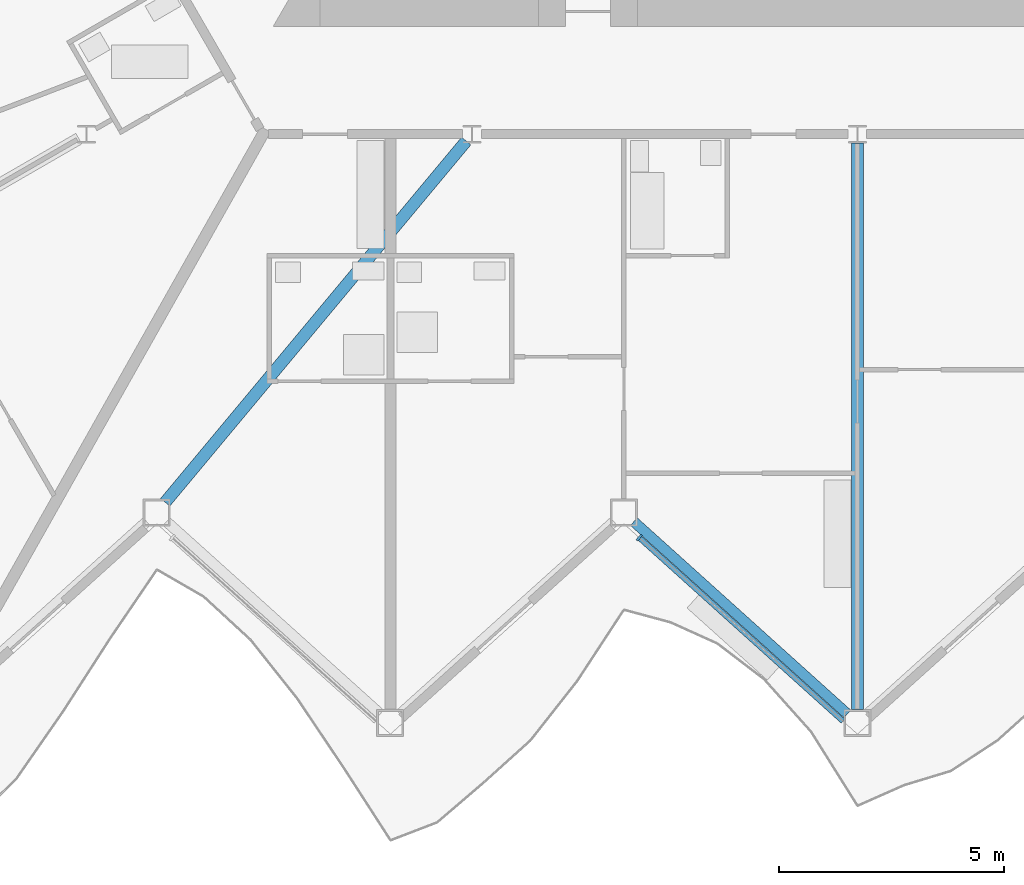
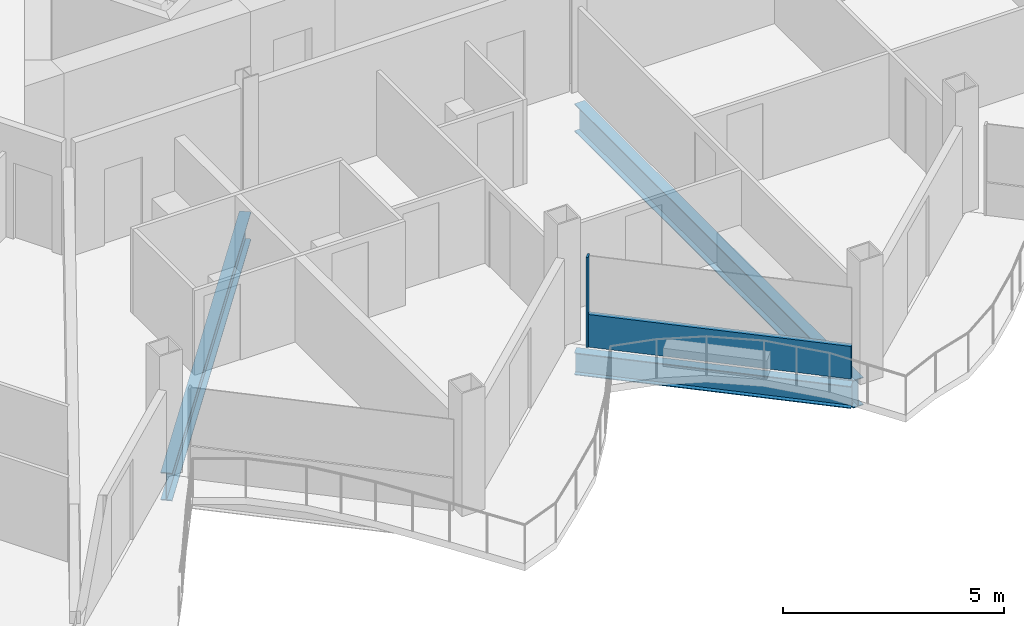
# One storey, part 5 of 27: 3 beams, 2 members, 1 element without a shape of its own.
"""IFC4 building model written with IfcOpenShell, lengths in metres."""

from ifc_helpers import new_model, si_unit, direction, frame, origin, origin_2d, place, context, subcontext, project, spatial, rectangle, i_section, extrude, material, layer, layer_set, material_profile, profile_set, type_object, element, aggregate, save


model = new_model("IFC4")

# Units and contexts
model_context = context("Model", 3, precision=1e-05, world=origin(), true_north=direction((0.0, 1.0)))
body_context = subcontext(model_context, "Body", "Model", "MODEL_VIEW")
ifc_project = project(units=[si_unit("LENGTHUNIT", "METRE"), si_unit("AREAUNIT", "SQUARE_METRE"), si_unit("VOLUMEUNIT", "CUBIC_METRE"), si_unit("PLANEANGLEUNIT", "RADIAN"), si_unit("MASSUNIT", "GRAM", prefix="KILO")], contexts=[model_context])

# Site, building, storey
site_placement = place(None, origin())
site = spatial("IfcSite", under=ifc_project, at=site_placement, CompositionType="ELEMENT")
building_placement = place(site_placement, origin())
building = spatial("IfcBuilding", under=site, at=building_placement, Name="Cormorant Prow Tower", CompositionType="ELEMENT")
storey_placement = place(building_placement, frame((0.0, 0.0, 335.800048828125)))
storey = spatial("IfcBuildingStorey", under=building, at=storey_placement, Name="L75", CompositionType="ELEMENT", Elevation=335.800048828125)

# Beams
ifc_material_1 = material(Name="Structural steel ASTM A992 Gr 50", Category="steel")
ifc_material_profile_1 = material_profile(ifc_material_1, i_section(OverallWidth=0.267822265625, OverallDepth=0.77001953125, WebThickness=0.015625, FlangeThickness=0.025390625, at=origin_2d()), Name="W30x132")
ifc_profile_set_1 = profile_set([ifc_material_profile_1], Name="Structural steel ASTM A992 Gr 50")
beam_type_1 = type_object("IfcBeamType", Name="Radial floor beam W30x132", PredefinedType="BEAM", material=ifc_profile_set_1)
beam_1_placement = place(storey_placement, frame((-8.705078125, -10.057373046875, -0.68505859375), z_axis=(-0.640239469619, -0.768175384624, 0.0), x_axis=(0.768175384624, -0.640239469619, 0.0)))
element("IfcBeam", 1, at=beam_1_placement, inside=storey, type_object=beam_type_1, Name="Radial floor beam FB3 6 L75", PredefinedType="BEAM", context=body_context, shape_type="SweptSolid", body=[
    extrude(i_section(OverallWidth=0.267822265625, OverallDepth=0.77001953125, WebThickness=0.015625, FlangeThickness=0.025390625, at=origin_2d()), origin(), (0.0, 0.0, 1.0), 10.465087890625),
])
beam_2_placement = place(storey_placement, frame((0.0, -10.103271484375, -0.68505859375), z_axis=(0.0, -1.0, 0.0), x_axis=(1.0, 0.0, 0.0)))
element("IfcBeam", 2, at=beam_2_placement, inside=storey, type_object=beam_type_1, Name="Radial floor beam FB3 7 L75", PredefinedType="BEAM", context=body_context, shape_type="SweptSolid", body=[
    extrude(i_section(OverallWidth=0.267822265625, OverallDepth=0.77001953125, WebThickness=0.015625, FlangeThickness=0.025390625, at=origin_2d()), origin(), (0.0, 0.0, 1.0), 12.604736328125),
])

# Curtain wall, members
ifc_material_2 = material(Name="Aluminium 6063-T6", Category="aluminium")
ifc_layer = layer(ifc_material_2, 0.159912109375)
ifc_layer_set = layer_set([ifc_layer], Name="Aluminium 6063-T6")
curtain_wall_type = type_object("IfcCurtainWallType", Name="Residential unitised curtain wall 160", PredefinedType="NOTDEFINED", material=ifc_layer_set)
curtain_wall_placement = place(storey_placement, origin())
curtain_wall = element("IfcCurtainWall", 3, at=curtain_wall_placement, inside=storey, type_object=curtain_wall_type, Name="Residential curtain wall S04", PredefinedType="NOTDEFINED")
ifc_material_3 = material(Name="Aluminium 6063-T6", Category="aluminium")
ifc_material_profile_2 = material_profile(ifc_material_3, rectangle(XDim=0.159912109375, YDim=0.050048828125, at=origin_2d()), Name="Residential mullion 50x160")
ifc_profile_set_2 = profile_set([ifc_material_profile_2], Name="Aluminium 6063-T6")
member_type_1 = type_object("IfcMemberType", Name="Residential mullion 50x160", PredefinedType="MULLION", material=ifc_profile_set_2)
member_1_placement = place(storey_placement, frame((-4.855224609375, -18.885009765625, 0.0), z_axis=(0.0, 0.0, 1.0), x_axis=(0.669130588628, 0.743144841442, 0.0)))
member_1 = element("IfcMember", 4, at=member_1_placement, type_object=member_type_1, Name="Residential mullion S04", PredefinedType="MULLION", context=body_context, shape_type="SweptSolid", body=[
    extrude(rectangle(XDim=0.159912109375, YDim=0.050048828125, at=origin_2d()), origin(), (0.0, 0.0, 1.0), 2.48779296875),
])
ifc_material_4 = material(Name="Terracotta", Category="masonry")
ifc_material_profile_3 = material_profile(ifc_material_4, rectangle(XDim=0.1201171875, YDim=0.89990234375, at=origin_2d()), Name="Residential terracotta spandrel rail 120x900")
ifc_profile_set_3 = profile_set([ifc_material_profile_3], Name="Terracotta")
member_type_2 = type_object("IfcMemberType", Name="Residential terracotta spandrel rail 120x900", PredefinedType="USERDEFINED", material=ifc_profile_set_3)
member_2_placement = place(storey_placement, frame((-4.836669921875, -18.901611328125, 0.449951171875), z_axis=(0.743154234406, -0.669120156538, 0.0), x_axis=(0.669120156538, 0.743154234406, 0.0)))
member_2 = element("IfcMember", 5, at=member_2_placement, type_object=member_type_2, Name="Residential spandrel rail S04", ObjectType="TRANSOM", PredefinedType="USERDEFINED", context=body_context, shape_type="SweptSolid", body=[
    extrude(rectangle(XDim=0.1201171875, YDim=0.89990234375, at=origin_2d()), origin(), (0.0, 0.0, 1.0), 6.07421875),
])
aggregate(curtain_wall, [member_1, member_2])

# Beam
ifc_material_5 = material(Name="Structural steel ASTM A992 Gr 50", Category="steel")
ifc_material_profile_4 = material_profile(ifc_material_5, i_section(OverallWidth=0.22900390625, OverallDepth=0.612060546875, WebThickness=0.011962890625, FlangeThickness=0.01953125, at=origin_2d()), Name="W24x84")
ifc_profile_set_4 = profile_set([ifc_material_profile_4], Name="Structural steel ASTM A992 Gr 50")
beam_type_2 = type_object("IfcBeamType", Name="Spandrel beam W24x84", PredefinedType="SPANDREL", material=ifc_profile_set_4)
beam_3_placement = place(storey_placement, frame((-4.97607421875, -18.527587890625, -0.606201171875), z_axis=(0.743144186555, -0.669131315954, 0.0), x_axis=(0.669131315954, 0.743144186555, 0.0)))
element("IfcBeam", 6, at=beam_3_placement, inside=storey, type_object=beam_type_2, Name="Spandrel beam SB3 S04-S05 L75", PredefinedType="SPANDREL", context=body_context, shape_type="SweptSolid", body=[
    extrude(i_section(OverallWidth=0.22900390625, OverallDepth=0.612060546875, WebThickness=0.011962890625, FlangeThickness=0.01953125, at=origin_2d()), origin(), (0.0, 0.0, 1.0), 6.39599609375),
])

save(model, "model.ifc")
